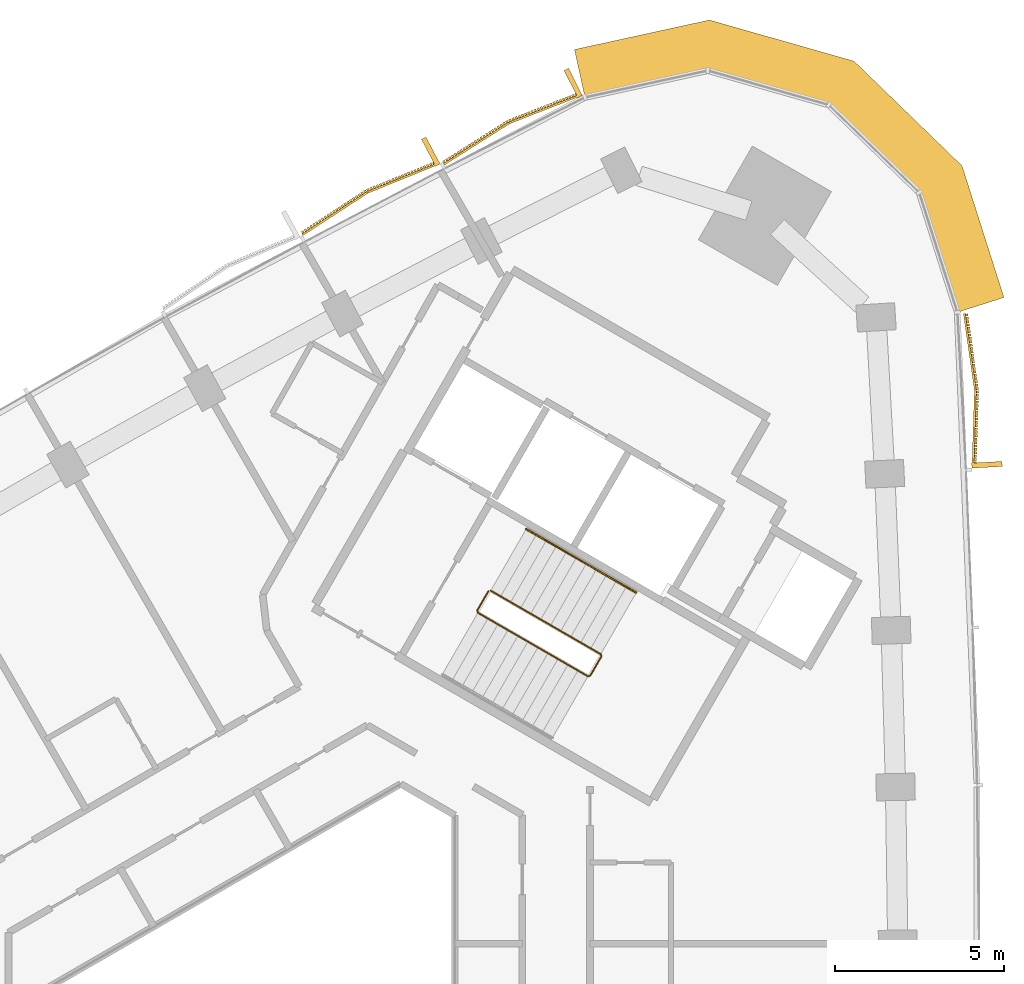
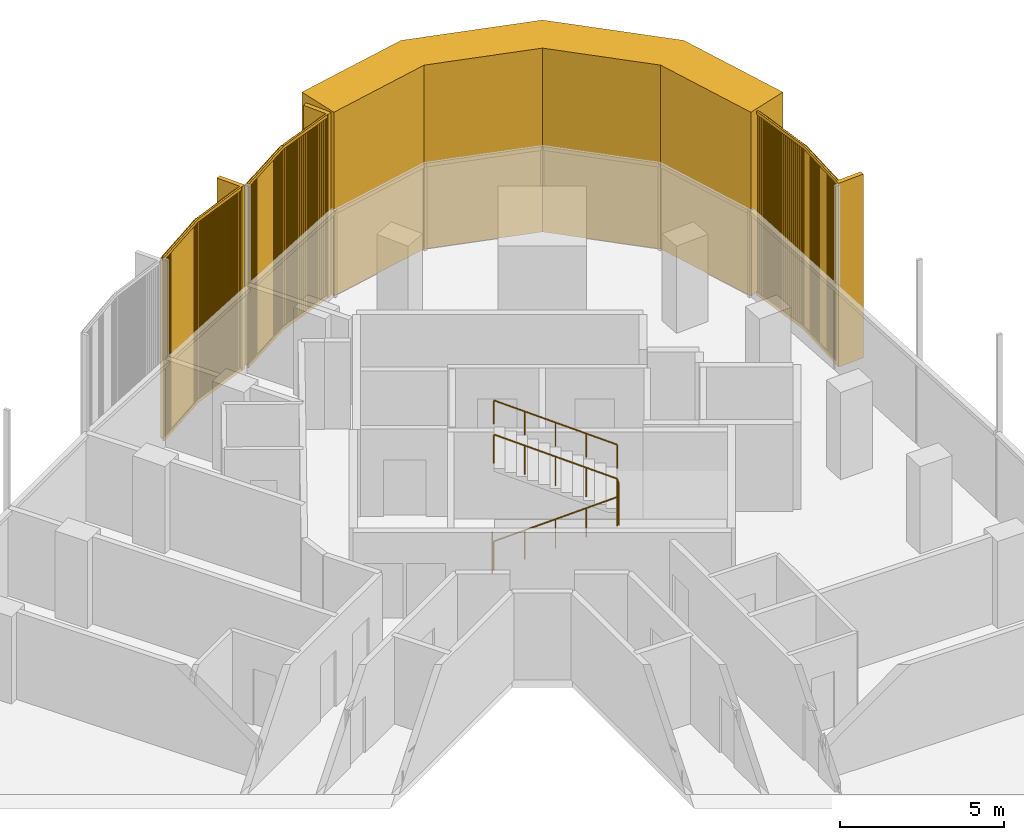
# One storey, part 14 of 14: 4 coverings, 2 railings.
"""IFC4 building model written with IfcOpenShell, lengths in metres."""

import ifcopenshell
import ifcopenshell.guid

model = None  # the IFC model being written
_history = None  # IfcOwnerHistory: only IFC2X3 demands one
_inside = {}  # id of a spatial element -> (the spatial element, [elements in it])
_under = {}  # id of a project, library or spatial element -> (it, [spatial elements below it])
_declared = {}  # id of a project -> (the project, [libraries it declares])
_typed = {}  # id of a type object -> (the type object, [elements of that type])
_made_of = {}  # id of a material, layer set ... -> (it, [elements and type objects made of it])


def new_model(schema):
    """Start an empty IFC model of exactly this schema.

    Asked for "IFC4X3", IfcOpenShell would pick the latest addendum, in which some entities
    have other attributes; the version numbers below select the first issue.
    IFC2X3 requires an IfcOwnerHistory on every rooted entity: one is made here for all.
    """
    global model, _history
    if schema == "IFC4X3":
        model = ifcopenshell.file(schema_version=(4, 3, 0, 0))
    else:
        model = ifcopenshell.file(schema=schema)
    _inside.clear()
    _under.clear()
    _declared.clear()
    _typed.clear()
    _made_of.clear()
    _history = None
    if model.schema == "IFC2X3":
        org = make("IfcOrganization", Name="unknown")
        user = make(
            "IfcPersonAndOrganization",
            ThePerson=make("IfcPerson", FamilyName="unknown"),
            TheOrganization=org,
        )
        app = make(
            "IfcApplication",
            ApplicationDeveloper=org,
            Version="unknown",
            ApplicationFullName="unknown",
            ApplicationIdentifier="unknown",
        )
        _history = make(
            "IfcOwnerHistory",
            OwningUser=user,
            OwningApplication=app,
            ChangeAction="ADDED",
            CreationDate=0,
        )
    return model


def make(cls, **values):
    """One entity of the class cls with the attributes given. An attribute that is None is left unset."""
    return model.create_entity(
        cls, **{name: value for name, value in values.items() if value is not None}
    )


def rooted(cls, **values):
    """An entity with a GlobalId (a new one), such as an element, a storey or a relation."""
    return make(cls, GlobalId=ifcopenshell.guid.new(), OwnerHistory=_history, **values)


def si_unit(unit_type, name, prefix=None):
    """IfcSIUnit, for example si_unit("LENGTHUNIT", "METRE", prefix="MILLI")."""
    return make("IfcSIUnit", UnitType=unit_type, Prefix=prefix, Name=name)


def assignment(units):
    """IfcUnitAssignment: the units of a project."""
    return None if units is None else make("IfcUnitAssignment", Units=units)


def point(xyz):
    """IfcCartesianPoint."""
    return None if xyz is None else make("IfcCartesianPoint", Coordinates=xyz)


def direction(xyz):
    """IfcDirection."""
    return None if xyz is None else make("IfcDirection", DirectionRatios=xyz)


def frame(location, z_axis=None, x_axis=None):
    """IfcAxis2Placement3D, a coordinate frame: its origin and axes. An axis left out is left unset."""
    return make(
        "IfcAxis2Placement3D",
        Location=point(location),
        Axis=direction(z_axis),
        RefDirection=direction(x_axis),
    )


def frame_2d(location, x_axis=None):
    """IfcAxis2Placement2D, a coordinate frame in the plane: its origin and x axis."""
    return make(
        "IfcAxis2Placement2D", Location=point(location), RefDirection=direction(x_axis)
    )


def origin():
    """The frame at (0, 0, 0) with its axes left unset."""
    return frame((0.0, 0.0, 0.0))


def origin_2d():
    """The frame at (0, 0) in the plane with its x axis left unset."""
    return frame_2d((0.0, 0.0))


def place(relative_to, where):
    """IfcLocalPlacement: puts the frame where relative to a parent placement (None: the world)."""
    return make(
        "IfcLocalPlacement", PlacementRelTo=relative_to, RelativePlacement=where
    )


def context(
    kind, dimensions, precision=None, world=None, true_north=None, identifier=None
):
    """IfcGeometricRepresentationContext, for example the 3D "Model" context."""
    return make(
        "IfcGeometricRepresentationContext",
        ContextIdentifier=identifier,
        ContextType=kind,
        CoordinateSpaceDimension=dimensions,
        Precision=precision,
        WorldCoordinateSystem=world,
        TrueNorth=true_north,
    )


def subcontext(parent, identifier, kind, view, scale=None):
    """IfcGeometricRepresentationSubContext, for example "Body" below "Model"."""
    return make(
        "IfcGeometricRepresentationSubContext",
        ContextIdentifier=identifier,
        ContextType=kind,
        ParentContext=parent,
        TargetScale=scale,
        TargetView=view,
    )


def project(units=None, contexts=None):
    """IfcProject with its units and contexts."""
    return rooted(
        "IfcProject",
        Name="project",
        RepresentationContexts=contexts,
        UnitsInContext=assignment(units),
    )


def spatial(cls, under=None, at=None, **own):
    """A site, building, storey or space (cls), placed at a placement, below another one or the project."""
    s = rooted(cls, ObjectPlacement=at, **own)
    if under is not None:
        _under.setdefault(under.id(), (under, []))[1].append(s)
    return s


def polyline(points):
    """IfcPolyline through the points."""
    return make("IfcPolyline", Points=[point(p) for p in points])


def profile(cls, at=None, kind="AREA", **sizes):
    """A parametric profile (cls). Its sizes go by their IFC names, for example OverallWidth=200.0."""
    return make(cls, ProfileType=kind, Position=at, **sizes)


def rectangle(**sizes):
    """IfcRectangleProfileDef."""
    return profile("IfcRectangleProfileDef", **sizes)


def circle(**sizes):
    """IfcCircleProfileDef."""
    return profile("IfcCircleProfileDef", **sizes)


def outline(outer, holes=None, kind="AREA"):
    """IfcArbitraryClosedProfileDef: a profile drawn as a closed curve; with holes, ...WithVoids."""
    if holes is None:
        return make("IfcArbitraryClosedProfileDef", ProfileType=kind, OuterCurve=outer)
    return make(
        "IfcArbitraryProfileDefWithVoids",
        ProfileType=kind,
        OuterCurve=outer,
        InnerCurves=holes,
    )


def extrude(swept, where, along, depth):
    """IfcExtrudedAreaSolid: the profile swept, set in the frame where, extruded along a direction by depth."""
    return make(
        "IfcExtrudedAreaSolid",
        SweptArea=swept,
        Position=where,
        ExtrudedDirection=direction(along),
        Depth=depth,
    )


def shape(context_of_items, identifier, shape_type, items):
    """IfcShapeRepresentation: the items that make up one representation, for example the "Body"."""
    return make(
        "IfcShapeRepresentation",
        ContextOfItems=context_of_items,
        RepresentationIdentifier=identifier,
        RepresentationType=shape_type,
        Items=items,
    )


def source(mapping_origin, context_of_items, identifier, shape_type, items):
    """IfcRepresentationMap: a shape defined once, which mapped items show again and again."""
    return make(
        "IfcRepresentationMap",
        MappingOrigin=mapping_origin,
        MappedRepresentation=shape(context_of_items, identifier, shape_type, items),
    )


def transform(
    local_origin,
    x_axis=None,
    y_axis=None,
    z_axis=None,
    scale=None,
    scale2=None,
    scale3=None,
    uniform=True,
):
    """IfcCartesianTransformationOperator3D, or its non-uniform kind. x_axis, y_axis, z_axis: its Axis1, 2, 3."""
    if uniform:
        return make(
            "IfcCartesianTransformationOperator3D",
            Axis1=direction(x_axis),
            Axis2=direction(y_axis),
            LocalOrigin=point(local_origin),
            Scale=scale,
            Axis3=direction(z_axis),
        )
    return make(
        "IfcCartesianTransformationOperator3DnonUniform",
        Axis1=direction(x_axis),
        Axis2=direction(y_axis),
        LocalOrigin=point(local_origin),
        Scale=scale,
        Axis3=direction(z_axis),
        Scale2=scale2,
        Scale3=scale3,
    )


def mapped(mapping_source, mapping_target):
    """IfcMappedItem: shows the shape of a source again, moved by a transform."""
    return make(
        "IfcMappedItem", MappingSource=mapping_source, MappingTarget=mapping_target
    )


def material(Name=None, Category=None):
    """IfcMaterial."""
    return make("IfcMaterial", Name=Name, Category=Category)


def layer(
    of_material, thickness, ventilated=None, Name=None, Category=None, Priority=None
):
    """IfcMaterialLayer: one layer of a wall or slab, of a material (None: an air gap)."""
    return make(
        "IfcMaterialLayer",
        Material=of_material,
        LayerThickness=thickness,
        IsVentilated=ventilated,
        Name=Name,
        Category=Category,
        Priority=Priority,
    )


def layer_set(layers, Name=None):
    """IfcMaterialLayerSet."""
    return make("IfcMaterialLayerSet", MaterialLayers=layers, LayerSetName=Name)


def made_of(thing, what):
    """Note that an element or type object is made of a material, layer set ...; save() writes the relation."""
    if what is not None:
        _made_of.setdefault(what.id(), (what, []))[1].append(thing)
    return thing


def type_object(cls, material=None, **own):
    """A type object (cls), such as IfcWallType, which elements share."""
    return made_of(rooted(cls, **own), material)


def element(
    cls,
    number,
    at=None,
    inside=None,
    cuts=None,
    type_object=None,
    material=None,
    context=None,
    identifier="Body",
    shape_type=None,
    held_by="IfcProductDefinitionShape",
    body=None,
    shapes=None,
    **own,
):
    """One element of the class cls, such as IfcWall. Its Tag is "e" and its number.

    at: its placement. inside: the storey or other place that contains it. cuts: it is an
    opening in that element (IfcRelVoidsElement). A single representation is given by context,
    identifier, shape_type and body (its items); several are given by shapes. held_by: the class
    of the entity that holds the representations. save() writes the other relations.
    """
    e = rooted(cls, Tag="e%d" % number, ObjectPlacement=at, **own)
    if body is not None:
        shapes = [shape(context, identifier, shape_type, body)]
    if shapes is not None:
        e.Representation = make(held_by, Representations=shapes)
    if inside is not None:
        _inside.setdefault(inside.id(), (inside, []))[1].append(e)
    if cuts is not None:
        rooted(
            "IfcRelVoidsElement", RelatingBuildingElement=cuts, RelatedOpeningElement=e
        )
    if type_object is not None:
        _typed.setdefault(type_object.id(), (type_object, []))[1].append(e)
    return made_of(e, material)


def aggregate(whole, parts):
    """IfcRelAggregates: a whole, such as a stair, and the parts it consists of."""
    return rooted("IfcRelAggregates", RelatingObject=whole, RelatedObjects=parts)


def save(model, path):
    """Write the relations noted so far, then the file.

    IfcRelAggregates (storeys below a building ...), IfcRelContainedInSpatialStructure (elements
    in a storey), IfcRelDefinesByType, IfcRelAssociatesMaterial and IfcRelDeclares: one each for
    every whole, place, type object, material and project.
    """
    for whole, parts in _under.values():
        aggregate(whole, parts)
    for where, things in _inside.values():
        rooted(
            "IfcRelContainedInSpatialStructure",
            RelatedElements=things,
            RelatingStructure=where,
        )
    for kind, things in _typed.values():
        rooted("IfcRelDefinesByType", RelatedObjects=things, RelatingType=kind)
    for what, things in _made_of.values():
        rooted("IfcRelAssociatesMaterial", RelatedObjects=things, RelatingMaterial=what)
    for by, libraries in _declared.values():
        rooted("IfcRelDeclares", RelatingContext=by, RelatedDefinitions=libraries)
    model.write(path)


model = new_model("IFC4")

# Units and contexts
model_context = context("Model", 3, precision=1e-05, world=origin(), true_north=direction((0.0, 1.0)))
body_context = subcontext(model_context, "Body", "Model", "MODEL_VIEW")
ifc_project = project(units=[si_unit("LENGTHUNIT", "METRE"), si_unit("AREAUNIT", "SQUARE_METRE"), si_unit("VOLUMEUNIT", "CUBIC_METRE"), si_unit("PLANEANGLEUNIT", "RADIAN"), si_unit("MASSUNIT", "GRAM", prefix="KILO")], contexts=[model_context])

# Site, building, storey
site_placement = place(None, origin())
site = spatial("IfcSite", under=ifc_project, at=site_placement, CompositionType="ELEMENT")
building_placement = place(site_placement, origin())
building = spatial("IfcBuilding", under=site, at=building_placement, Name="Tamra Quay Hotel Tower", CompositionType="ELEMENT")
storey_placement = place(building_placement, frame((0.0, 0.0, 197.199951171875)))
storey = spatial("IfcBuildingStorey", under=building, at=storey_placement, Name="L49", CompositionType="ELEMENT", Elevation=197.199951171875)

# Covering
ifc_material_1 = material(Name="Precast concrete M60 terracotta-coloured", Category="masonry")
ifc_layer = layer(ifc_material_1, 1.449951171875)
ifc_layer_set = layer_set([ifc_layer], Name="CORNER PIER PANEL")
covering_type_1 = type_object("IfcCoveringType", Name="CORNER PIER PANEL", PredefinedType="CLADDING", material=ifc_layer_set)
covering_1_placement = place(storey_placement, origin())
element("IfcCovering", 1, at=covering_1_placement, inside=storey, type_object=covering_type_1, Name="Corner pier L49.east", PredefinedType="CLADDING", context=body_context, shape_type="SweptSolid", body=[
    extrude(outline(polyline([(19.4755859375, 21.00537109375), (20.857421875, 21.4453125), (19.616943359375, 25.3408203125), (16.419921875, 28.440185546875), (12.13720703125, 29.6591796875), (8.1435546875, 28.78564453125), (8.453369140625, 27.369140625), (12.091064453125, 28.164794921875), (15.67236328125, 27.1455078125), (18.345703125, 24.553466796875), (19.4755859375, 21.00537109375)])), origin(), (0.0, 0.0, 1.0), 6.85009765625),
])

# Railings
ifc_material_2 = material(Name="Stair guard 1100")
railing_type_1 = type_object("IfcRailingType", Name="Stair guard 1100", PredefinedType="GUARDRAIL", material=ifc_material_2)
railing_1_placement = place(storey_placement, frame((5.595458984375, 12.751953125, 0.0)))
element("IfcRailing", 2, at=railing_1_placement, inside=storey, type_object=railing_type_1, Name="GR", PredefinedType="GUARDRAIL", context=body_context, shape_type="SweptSolid", body=[
    extrude(circle(Radius=0.02392578125, at=origin_2d()), frame((0.0, 0.0, 1.076171875), z_axis=(-0.499765215335, -0.866160914346, 0.0), x_axis=(0.866160914346, -0.499765215335, 0.0)), (0.0, 0.0, 1.0), 0.658935546875),
    extrude(circle(Radius=0.02392578125, at=origin_2d()), frame((-0.329345703125, -0.57080078125, 1.076171875), z_axis=(0.110378772244, -0.410609032747, 0.905105932399), x_axis=(0.965715946433, 0.259601060869, 0.0)), (0.0, 0.0, 1.0), 0.165771484375),
    extrude(circle(Radius=0.02392578125, at=origin_2d()), frame((-0.31103515625, -0.638916015625, 1.22607421875), z_axis=(0.793078462799, -0.457933869594, 0.401650498471), x_axis=(0.500040788363, 0.866001853331, 0.0)), (0.0, 0.0, 1.0), 4.10791015625),
    extrude(circle(Radius=0.02392578125, at=origin_2d()), frame((2.94677734375, -2.52001953125, 2.8759765625), z_axis=(0.965948051503, 0.258736085224, 0.0), x_axis=(-0.258736085224, 0.965948051503, 0.0)), (0.0, 0.0, 1.0), 0.07080078125),
    extrude(circle(Radius=0.02392578125, at=origin_2d()), frame((3.01513671875, -2.501708984375, 2.8759765625), z_axis=(0.500043078269, 0.866000531106, 0.0), x_axis=(-0.866000531106, 0.500043078269, 0.0)), (0.0, 0.0, 1.0), 0.6591796875),
    extrude(circle(Radius=0.02392578125, at=origin_2d()), frame((3.3447265625, -1.930908203125, 2.8759765625), z_axis=(-0.110525977783, 0.411156637351, 0.904839338113), x_axis=(-0.965715946433, -0.259601060869, 0.0)), (0.0, 0.0, 1.0), 0.165771484375),
    extrude(circle(Radius=0.02392578125, at=origin_2d()), frame((3.326416015625, -1.86279296875, 3.02587890625), z_axis=(-0.793081581205, 0.457901355053, 0.401681409319), x_axis=(-0.500012686397, -0.866018079166, 0.0)), (0.0, 0.0, 1.0), 4.108154296875),
    extrude(circle(Radius=0.02099609375, at=origin_2d()), origin(), (0.0, 0.0, 1.0), 1.052001953125),
    extrude(circle(Radius=0.02099609375, at=origin_2d()), frame((-0.329345703125, -0.57080078125, 0.0)), (0.0, 0.0, 1.0), 1.052001953125),
    extrude(circle(Radius=0.02099609375, at=origin_2d()), frame((-0.31103515625, -0.638916015625, 0.150146484375)), (0.0, 0.0, 1.0), 1.052001953125),
    extrude(circle(Radius=0.02099609375, at=origin_2d()), frame((0.50341796875, -1.109130859375, 0.5625)), (0.0, 0.0, 1.0), 1.052001953125),
    extrude(circle(Radius=0.02099609375, at=origin_2d()), frame((1.31787109375, -1.57958984375, 0.97509765625)), (0.0, 0.0, 1.0), 1.052001953125),
    extrude(circle(Radius=0.02099609375, at=origin_2d()), frame((2.13232421875, -2.0498046875, 1.3876953125)), (0.0, 0.0, 1.0), 1.052001953125),
    extrude(circle(Radius=0.02099609375, at=origin_2d()), frame((2.94677734375, -2.52001953125, 1.800048828125)), (0.0, 0.0, 1.0), 1.052001953125),
    extrude(circle(Radius=0.02099609375, at=origin_2d()), frame((3.01513671875, -2.501708984375, 1.800048828125)), (0.0, 0.0, 1.0), 1.052001953125),
    extrude(circle(Radius=0.02099609375, at=origin_2d()), frame((3.3447265625, -1.930908203125, 1.800048828125)), (0.0, 0.0, 1.0), 1.052001953125),
    extrude(circle(Radius=0.02099609375, at=origin_2d()), frame((3.326416015625, -1.86279296875, 1.949951171875)), (0.0, 0.0, 1.0), 1.052001953125),
    extrude(circle(Radius=0.02099609375, at=origin_2d()), frame((2.511962890625, -1.392578125, 2.362548828125)), (0.0, 0.0, 1.0), 1.052001953125),
    extrude(circle(Radius=0.02099609375, at=origin_2d()), frame((1.697265625, -0.92236328125, 2.77490234375)), (0.0, 0.0, 1.0), 1.052001953125),
    extrude(circle(Radius=0.02099609375, at=origin_2d()), frame((0.8828125, -0.451904296875, 3.1875)), (0.0, 0.0, 1.0), 1.052001953125),
    extrude(circle(Radius=0.02099609375, at=origin_2d()), frame((0.068359375, 0.018310546875, 3.60009765625)), (0.0, 0.0, 1.0), 1.052001953125),
])
ifc_material_3 = material(Name="Stair handrail 900")
railing_type_2 = type_object("IfcRailingType", Name="Stair handrail 900", PredefinedType="HANDRAIL", material=ifc_material_3)
railing_2_placement = place(storey_placement, frame((9.971923828125, 12.7080078125, 1.949951171875)))
element("IfcRailing", 3, at=railing_2_placement, inside=storey, type_object=railing_type_2, Name="HR", PredefinedType="HANDRAIL", context=body_context, shape_type="SweptSolid", body=[
    extrude(circle(Radius=0.02392578125, at=origin_2d()), frame((0.0, 0.0, 0.8759765625), z_axis=(-0.793103162556, 0.457854384738, 0.401692339881), x_axis=(-0.499964013922, -0.86604617936, 0.0)), (0.0, 0.0, 1.0), 4.10791015625),
    extrude(circle(Radius=0.02099609375, at=origin_2d()), origin(), (0.0, 0.0, 1.0), 0.851806640625),
    extrude(circle(Radius=0.02099609375, at=origin_2d()), frame((-0.814453125, 0.47021484375, 0.41259765625)), (0.0, 0.0, 1.0), 0.851806640625),
    extrude(circle(Radius=0.02099609375, at=origin_2d()), frame((-1.62890625, 0.9404296875, 0.8251953125)), (0.0, 0.0, 1.0), 0.851806640625),
    extrude(circle(Radius=0.02099609375, at=origin_2d()), frame((-2.443603515625, 1.41064453125, 1.237548828125)), (0.0, 0.0, 1.0), 0.851806640625),
    extrude(circle(Radius=0.02099609375, at=origin_2d()), frame((-3.258056640625, 1.880859375, 1.650146484375)), (0.0, 0.0, 1.0), 0.851806640625),
])

# Coverings
ifc_material_4 = material(Name="Terracotta baguette extruded", Category="masonry")
covering_type_2 = type_object("IfcCoveringType", Name="BAGUETTE SCREEN E-V H6850", PredefinedType="USERDEFINED", material=ifc_material_4)
shared_shape_1 = source(origin(), body_context, "Body", "SweptSolid", [
    extrude(rectangle(XDim=2.30126953125, YDim=0.06005859375, at=frame_2d((1.150634765625, 0.030029296875))), frame((-2.2978515625, -0.057861328125, -0.1201171875), z_axis=(0.0, 0.0, 1.0), x_axis=(0.996194698092, -0.087155742748, 0.0)), (0.0, 0.0, 1.0), 0.1201171875),
    extrude(rectangle(XDim=2.30126953125, YDim=0.06005859375, at=frame_2d((1.150634765625, 0.030029296875))), frame((-2.2978515625, -0.057861328125, -6.85009765625), z_axis=(0.0, 0.0, 1.0), x_axis=(0.996194698092, -0.087155742748, 0.0)), (0.0, 0.0, 1.0), 0.1201171875),
    extrude(rectangle(XDim=0.070068359375, YDim=0.10009765625, at=frame_2d((0.03515625, 0.050048828125))), frame((-2.277587890625, -0.13232421875, -6.7900390625)), (0.0, 0.0, 1.0), 6.72998046875),
    extrude(rectangle(XDim=0.070068359375, YDim=0.10009765625, at=frame_2d((0.03515625, 0.050048828125))), frame((-2.177978515625, -0.14111328125, -6.7900390625)), (0.0, 0.0, 1.0), 6.72998046875),
    extrude(rectangle(XDim=0.070068359375, YDim=0.10009765625, at=frame_2d((0.03515625, 0.050048828125))), frame((-2.078369140625, -0.14990234375, -6.7900390625)), (0.0, 0.0, 1.0), 6.72998046875),
    extrude(rectangle(XDim=0.070068359375, YDim=0.10009765625, at=frame_2d((0.03515625, 0.050048828125))), frame((-1.978759765625, -0.158447265625, -6.7900390625)), (0.0, 0.0, 1.0), 6.72998046875),
    extrude(rectangle(XDim=0.070068359375, YDim=0.10009765625, at=frame_2d((0.03515625, 0.050048828125))), frame((-1.87890625, -0.167236328125, -6.7900390625)), (0.0, 0.0, 1.0), 6.72998046875),
    extrude(rectangle(XDim=0.070068359375, YDim=0.10009765625, at=frame_2d((0.03515625, 0.050048828125))), frame((-1.779296875, -0.176025390625, -6.7900390625)), (0.0, 0.0, 1.0), 6.72998046875),
    extrude(rectangle(XDim=0.070068359375, YDim=0.10009765625, at=frame_2d((0.03515625, 0.050048828125))), frame((-1.6796875, -0.1845703125, -6.7900390625)), (0.0, 0.0, 1.0), 6.72998046875),
    extrude(rectangle(XDim=0.070068359375, YDim=0.10009765625, at=frame_2d((0.03515625, 0.050048828125))), frame((-1.579833984375, -0.193359375, -6.7900390625)), (0.0, 0.0, 1.0), 6.72998046875),
    extrude(rectangle(XDim=0.070068359375, YDim=0.10009765625, at=frame_2d((0.03515625, 0.050048828125))), frame((-1.480224609375, -0.2021484375, -6.7900390625)), (0.0, 0.0, 1.0), 6.72998046875),
    extrude(rectangle(XDim=0.070068359375, YDim=0.10009765625, at=frame_2d((0.03515625, 0.050048828125))), frame((-1.380615234375, -0.2109375, -6.7900390625)), (0.0, 0.0, 1.0), 6.72998046875),
    extrude(rectangle(XDim=0.070068359375, YDim=0.10009765625, at=frame_2d((0.03515625, 0.050048828125))), frame((-1.281005859375, -0.219482421875, -6.7900390625)), (0.0, 0.0, 1.0), 6.72998046875),
    extrude(rectangle(XDim=0.070068359375, YDim=0.10009765625, at=frame_2d((0.03515625, 0.050048828125))), frame((-1.18115234375, -0.228271484375, -6.7900390625)), (0.0, 0.0, 1.0), 6.72998046875),
    extrude(rectangle(XDim=0.070068359375, YDim=0.10009765625, at=frame_2d((0.03515625, 0.050048828125))), frame((-1.08154296875, -0.237060546875, -6.7900390625)), (0.0, 0.0, 1.0), 6.72998046875),
    extrude(rectangle(XDim=0.070068359375, YDim=0.10009765625, at=frame_2d((0.03515625, 0.050048828125))), frame((-0.98193359375, -0.24560546875, -6.7900390625)), (0.0, 0.0, 1.0), 6.72998046875),
    extrude(rectangle(XDim=0.070068359375, YDim=0.10009765625, at=frame_2d((0.03515625, 0.050048828125))), frame((-0.88232421875, -0.25439453125, -6.7900390625)), (0.0, 0.0, 1.0), 6.72998046875),
    extrude(rectangle(XDim=0.070068359375, YDim=0.10009765625, at=frame_2d((0.03515625, 0.050048828125))), frame((-0.782470703125, -0.26318359375, -6.7900390625)), (0.0, 0.0, 1.0), 6.72998046875),
    extrude(rectangle(XDim=0.070068359375, YDim=0.10009765625, at=frame_2d((0.03515625, 0.050048828125))), frame((-0.682861328125, -0.27197265625, -6.7900390625)), (0.0, 0.0, 1.0), 6.72998046875),
    extrude(rectangle(XDim=0.070068359375, YDim=0.10009765625, at=frame_2d((0.03515625, 0.050048828125))), frame((-0.583251953125, -0.280517578125, -6.7900390625)), (0.0, 0.0, 1.0), 6.72998046875),
    extrude(rectangle(XDim=0.070068359375, YDim=0.10009765625, at=frame_2d((0.03515625, 0.050048828125))), frame((-0.483642578125, -0.289306640625, -6.7900390625)), (0.0, 0.0, 1.0), 6.72998046875),
    extrude(rectangle(XDim=0.070068359375, YDim=0.10009765625, at=frame_2d((0.03515625, 0.050048828125))), frame((-0.3837890625, -0.298095703125, -6.7900390625)), (0.0, 0.0, 1.0), 6.72998046875),
    extrude(rectangle(XDim=0.070068359375, YDim=0.10009765625, at=frame_2d((0.03515625, 0.050048828125))), frame((-0.2841796875, -0.306884765625, -6.7900390625)), (0.0, 0.0, 1.0), 6.72998046875),
    extrude(rectangle(XDim=0.070068359375, YDim=0.10009765625, at=frame_2d((0.03515625, 0.050048828125))), frame((-0.1845703125, -0.3154296875, -6.7900390625)), (0.0, 0.0, 1.0), 6.72998046875),
    extrude(rectangle(XDim=0.070068359375, YDim=0.10009765625, at=frame_2d((0.03515625, 0.050048828125))), frame((-0.0849609375, -0.32421875, -6.7900390625)), (0.0, 0.0, 1.0), 6.72998046875),
    extrude(rectangle(XDim=2.30126953125, YDim=0.06005859375, at=frame_2d((1.150634765625, 0.030029296875))), frame((0.005126953125, -0.25830078125, -0.1201171875), z_axis=(0.0, 0.0, 1.0), x_axis=(0.996194698092, 0.087155742748, 0.0)), (0.0, 0.0, 1.0), 0.1201171875),
    extrude(rectangle(XDim=2.30126953125, YDim=0.06005859375, at=frame_2d((1.150634765625, 0.030029296875))), frame((0.005126953125, -0.25830078125, -6.85009765625), z_axis=(0.0, 0.0, 1.0), x_axis=(0.996194698092, 0.087155742748, 0.0)), (0.0, 0.0, 1.0), 0.1201171875),
    extrude(rectangle(XDim=0.070068359375, YDim=0.10009765625, at=frame_2d((0.03515625, 0.050048828125))), frame((0.014892578125, -0.32421875, -6.7900390625)), (0.0, 0.0, 1.0), 6.72998046875),
    extrude(rectangle(XDim=0.070068359375, YDim=0.10009765625, at=frame_2d((0.03515625, 0.050048828125))), frame((0.114501953125, -0.3154296875, -6.7900390625)), (0.0, 0.0, 1.0), 6.72998046875),
    extrude(rectangle(XDim=0.070068359375, YDim=0.10009765625, at=frame_2d((0.03515625, 0.050048828125))), frame((0.214111328125, -0.306884765625, -6.7900390625)), (0.0, 0.0, 1.0), 6.72998046875),
    extrude(rectangle(XDim=0.070068359375, YDim=0.10009765625, at=frame_2d((0.03515625, 0.050048828125))), frame((0.31396484375, -0.298095703125, -6.7900390625)), (0.0, 0.0, 1.0), 6.72998046875),
    extrude(rectangle(XDim=0.070068359375, YDim=0.10009765625, at=frame_2d((0.03515625, 0.050048828125))), frame((0.41357421875, -0.289306640625, -6.7900390625)), (0.0, 0.0, 1.0), 6.72998046875),
    extrude(rectangle(XDim=0.070068359375, YDim=0.10009765625, at=frame_2d((0.03515625, 0.050048828125))), frame((0.51318359375, -0.280517578125, -6.7900390625)), (0.0, 0.0, 1.0), 6.72998046875),
    extrude(rectangle(XDim=0.070068359375, YDim=0.10009765625, at=frame_2d((0.03515625, 0.050048828125))), frame((0.61279296875, -0.27197265625, -6.7900390625)), (0.0, 0.0, 1.0), 6.72998046875),
    extrude(rectangle(XDim=0.070068359375, YDim=0.10009765625, at=frame_2d((0.03515625, 0.050048828125))), frame((0.712646484375, -0.26318359375, -6.7900390625)), (0.0, 0.0, 1.0), 6.72998046875),
    extrude(rectangle(XDim=0.070068359375, YDim=0.10009765625, at=frame_2d((0.03515625, 0.050048828125))), frame((0.812255859375, -0.25439453125, -6.7900390625)), (0.0, 0.0, 1.0), 6.72998046875),
    extrude(rectangle(XDim=0.070068359375, YDim=0.10009765625, at=frame_2d((0.03515625, 0.050048828125))), frame((0.911865234375, -0.24560546875, -6.7900390625)), (0.0, 0.0, 1.0), 6.72998046875),
    extrude(rectangle(XDim=0.070068359375, YDim=0.10009765625, at=frame_2d((0.03515625, 0.050048828125))), frame((1.011474609375, -0.237060546875, -6.7900390625)), (0.0, 0.0, 1.0), 6.72998046875),
    extrude(rectangle(XDim=0.070068359375, YDim=0.10009765625, at=frame_2d((0.03515625, 0.050048828125))), frame((1.111328125, -0.228271484375, -6.7900390625)), (0.0, 0.0, 1.0), 6.72998046875),
    extrude(rectangle(XDim=0.070068359375, YDim=0.10009765625, at=frame_2d((0.03515625, 0.050048828125))), frame((1.2109375, -0.219482421875, -6.7900390625)), (0.0, 0.0, 1.0), 6.72998046875),
    extrude(rectangle(XDim=0.070068359375, YDim=0.10009765625, at=frame_2d((0.03515625, 0.050048828125))), frame((1.310546875, -0.2109375, -6.7900390625)), (0.0, 0.0, 1.0), 6.72998046875),
    extrude(rectangle(XDim=0.070068359375, YDim=0.10009765625, at=frame_2d((0.03515625, 0.050048828125))), frame((1.41015625, -0.2021484375, -6.7900390625)), (0.0, 0.0, 1.0), 6.72998046875),
    extrude(rectangle(XDim=0.070068359375, YDim=0.10009765625, at=frame_2d((0.03515625, 0.050048828125))), frame((1.510009765625, -0.193359375, -6.7900390625)), (0.0, 0.0, 1.0), 6.72998046875),
    extrude(rectangle(XDim=0.070068359375, YDim=0.10009765625, at=frame_2d((0.03515625, 0.050048828125))), frame((1.609619140625, -0.1845703125, -6.7900390625)), (0.0, 0.0, 1.0), 6.72998046875),
    extrude(rectangle(XDim=0.070068359375, YDim=0.10009765625, at=frame_2d((0.03515625, 0.050048828125))), frame((1.709228515625, -0.176025390625, -6.7900390625)), (0.0, 0.0, 1.0), 6.72998046875),
    extrude(rectangle(XDim=0.070068359375, YDim=0.10009765625, at=frame_2d((0.03515625, 0.050048828125))), frame((1.80908203125, -0.167236328125, -6.7900390625)), (0.0, 0.0, 1.0), 6.72998046875),
    extrude(rectangle(XDim=0.070068359375, YDim=0.10009765625, at=frame_2d((0.03515625, 0.050048828125))), frame((1.90869140625, -0.158447265625, -6.7900390625)), (0.0, 0.0, 1.0), 6.72998046875),
    extrude(rectangle(XDim=0.070068359375, YDim=0.10009765625, at=frame_2d((0.03515625, 0.050048828125))), frame((2.00830078125, -0.14990234375, -6.7900390625)), (0.0, 0.0, 1.0), 6.72998046875),
    extrude(rectangle(XDim=0.070068359375, YDim=0.10009765625, at=frame_2d((0.03515625, 0.050048828125))), frame((2.10791015625, -0.14111328125, -6.7900390625)), (0.0, 0.0, 1.0), 6.72998046875),
    extrude(rectangle(XDim=0.070068359375, YDim=0.10009765625, at=frame_2d((0.03515625, 0.050048828125))), frame((2.207763671875, -0.13232421875, -6.7900390625)), (0.0, 0.0, 1.0), 6.72998046875),
    extrude(rectangle(XDim=0.14990234375, YDim=0.902099609375, at=frame_2d((0.074951171875, 0.451171875))), frame((-2.29248046875, -0.89990234375, -6.85009765625)), (0.0, 0.0, 1.0), 6.85009765625),
])
covering_2_placement = place(storey_placement, frame((19.78271484375, 18.68359375, 6.85009765625), z_axis=(0.0, 0.0, 1.0), x_axis=(-0.055416308058, 0.998463335732, 0.0)))
element("IfcCovering", 4, at=covering_2_placement, inside=storey, type_object=covering_type_2, Name="Baguette screen L49.E.f08", ObjectType="BAGUETTE SCREEN", PredefinedType="USERDEFINED", context=body_context, shape_type="MappedRepresentation", body=[
    mapped(shared_shape_1, transform((0.0, 0.0, 0.0), scale=1.0)),
])
covering_type_3 = type_object("IfcCoveringType", Name="BAGUETTE SCREEN NW-V H6850", PredefinedType="USERDEFINED", material=ifc_material_4)
shared_shape_2 = source(origin(), body_context, "Body", "SweptSolid", [
    extrude(rectangle(XDim=2.302978515625, YDim=0.06005859375, at=frame_2d((1.1513671875, 0.030029296875))), frame((-2.29833984375, -0.0576171875, -0.1201171875), z_axis=(0.0, 0.0, 1.0), x_axis=(0.995396198367, -0.09584575252, 0.0)), (0.0, 0.0, 1.0), 0.1201171875),
    extrude(rectangle(XDim=2.302978515625, YDim=0.06005859375, at=frame_2d((1.1513671875, 0.030029296875))), frame((-2.29833984375, -0.0576171875, -6.85009765625), z_axis=(0.0, 0.0, 1.0), x_axis=(0.995396198367, -0.09584575252, 0.0)), (0.0, 0.0, 1.0), 0.1201171875),
    extrude(rectangle(XDim=0.070068359375, YDim=0.10009765625, at=frame_2d((0.03515625, 0.050048828125))), frame((-2.277587890625, -0.1328125, -6.7900390625)), (0.0, 0.0, 1.0), 6.72998046875),
    extrude(rectangle(XDim=0.070068359375, YDim=0.10009765625, at=frame_2d((0.03515625, 0.050048828125))), frame((-2.177978515625, -0.142333984375, -6.7900390625)), (0.0, 0.0, 1.0), 6.72998046875),
    extrude(rectangle(XDim=0.070068359375, YDim=0.10009765625, at=frame_2d((0.03515625, 0.050048828125))), frame((-2.078369140625, -0.152099609375, -6.7900390625)), (0.0, 0.0, 1.0), 6.72998046875),
    extrude(rectangle(XDim=0.070068359375, YDim=0.10009765625, at=frame_2d((0.03515625, 0.050048828125))), frame((-1.978759765625, -0.16162109375, -6.7900390625)), (0.0, 0.0, 1.0), 6.72998046875),
    extrude(rectangle(XDim=0.070068359375, YDim=0.10009765625, at=frame_2d((0.03515625, 0.050048828125))), frame((-1.87890625, -0.171142578125, -6.7900390625)), (0.0, 0.0, 1.0), 6.72998046875),
    extrude(rectangle(XDim=0.070068359375, YDim=0.10009765625, at=frame_2d((0.03515625, 0.050048828125))), frame((-1.779296875, -0.180908203125, -6.7900390625)), (0.0, 0.0, 1.0), 6.72998046875),
    extrude(rectangle(XDim=0.070068359375, YDim=0.10009765625, at=frame_2d((0.03515625, 0.050048828125))), frame((-1.6796875, -0.1904296875, -6.7900390625)), (0.0, 0.0, 1.0), 6.72998046875),
    extrude(rectangle(XDim=0.070068359375, YDim=0.10009765625, at=frame_2d((0.03515625, 0.050048828125))), frame((-1.579833984375, -0.199951171875, -6.7900390625)), (0.0, 0.0, 1.0), 6.72998046875),
    extrude(rectangle(XDim=0.070068359375, YDim=0.10009765625, at=frame_2d((0.03515625, 0.050048828125))), frame((-1.480224609375, -0.20947265625, -6.7900390625)), (0.0, 0.0, 1.0), 6.72998046875),
    extrude(rectangle(XDim=0.070068359375, YDim=0.10009765625, at=frame_2d((0.03515625, 0.050048828125))), frame((-1.380615234375, -0.21923828125, -6.7900390625)), (0.0, 0.0, 1.0), 6.72998046875),
    extrude(rectangle(XDim=0.070068359375, YDim=0.10009765625, at=frame_2d((0.03515625, 0.050048828125))), frame((-1.281005859375, -0.228759765625, -6.7900390625)), (0.0, 0.0, 1.0), 6.72998046875),
    extrude(rectangle(XDim=0.070068359375, YDim=0.10009765625, at=frame_2d((0.03515625, 0.050048828125))), frame((-1.18115234375, -0.23828125, -6.7900390625)), (0.0, 0.0, 1.0), 6.72998046875),
    extrude(rectangle(XDim=0.070068359375, YDim=0.10009765625, at=frame_2d((0.03515625, 0.050048828125))), frame((-1.08154296875, -0.248046875, -6.7900390625)), (0.0, 0.0, 1.0), 6.72998046875),
    extrude(rectangle(XDim=0.070068359375, YDim=0.10009765625, at=frame_2d((0.03515625, 0.050048828125))), frame((-0.98193359375, -0.257568359375, -6.7900390625)), (0.0, 0.0, 1.0), 6.72998046875),
    extrude(rectangle(XDim=0.070068359375, YDim=0.10009765625, at=frame_2d((0.03515625, 0.050048828125))), frame((-0.88232421875, -0.26708984375, -6.7900390625)), (0.0, 0.0, 1.0), 6.72998046875),
    extrude(rectangle(XDim=0.070068359375, YDim=0.10009765625, at=frame_2d((0.03515625, 0.050048828125))), frame((-0.782470703125, -0.27685546875, -6.7900390625)), (0.0, 0.0, 1.0), 6.72998046875),
    extrude(rectangle(XDim=0.070068359375, YDim=0.10009765625, at=frame_2d((0.03515625, 0.050048828125))), frame((-0.682861328125, -0.286376953125, -6.7900390625)), (0.0, 0.0, 1.0), 6.72998046875),
    extrude(rectangle(XDim=0.070068359375, YDim=0.10009765625, at=frame_2d((0.03515625, 0.050048828125))), frame((-0.583251953125, -0.2958984375, -6.7900390625)), (0.0, 0.0, 1.0), 6.72998046875),
    extrude(rectangle(XDim=0.070068359375, YDim=0.10009765625, at=frame_2d((0.03515625, 0.050048828125))), frame((-0.483642578125, -0.3056640625, -6.7900390625)), (0.0, 0.0, 1.0), 6.72998046875),
    extrude(rectangle(XDim=0.070068359375, YDim=0.10009765625, at=frame_2d((0.03515625, 0.050048828125))), frame((-0.3837890625, -0.315185546875, -6.7900390625)), (0.0, 0.0, 1.0), 6.72998046875),
    extrude(rectangle(XDim=0.070068359375, YDim=0.10009765625, at=frame_2d((0.03515625, 0.050048828125))), frame((-0.2841796875, -0.32470703125, -6.7900390625)), (0.0, 0.0, 1.0), 6.72998046875),
    extrude(rectangle(XDim=0.070068359375, YDim=0.10009765625, at=frame_2d((0.03515625, 0.050048828125))), frame((-0.1845703125, -0.334228515625, -6.7900390625)), (0.0, 0.0, 1.0), 6.72998046875),
    extrude(rectangle(XDim=0.070068359375, YDim=0.10009765625, at=frame_2d((0.03515625, 0.050048828125))), frame((-0.0849609375, -0.343994140625, -6.7900390625)), (0.0, 0.0, 1.0), 6.72998046875),
    extrude(rectangle(XDim=2.302978515625, YDim=0.06005859375, at=frame_2d((1.1513671875, 0.030029296875))), frame((0.005859375, -0.278564453125, -0.1201171875), z_axis=(0.0, 0.0, 1.0), x_axis=(0.995396198367, 0.09584575252, 0.0)), (0.0, 0.0, 1.0), 0.1201171875),
    extrude(rectangle(XDim=2.302978515625, YDim=0.06005859375, at=frame_2d((1.1513671875, 0.030029296875))), frame((0.005859375, -0.278564453125, -6.85009765625), z_axis=(0.0, 0.0, 1.0), x_axis=(0.995396198367, 0.09584575252, 0.0)), (0.0, 0.0, 1.0), 0.1201171875),
    extrude(rectangle(XDim=0.070068359375, YDim=0.10009765625, at=frame_2d((0.03515625, 0.050048828125))), frame((0.014892578125, -0.343994140625, -6.7900390625)), (0.0, 0.0, 1.0), 6.72998046875),
    extrude(rectangle(XDim=0.070068359375, YDim=0.10009765625, at=frame_2d((0.03515625, 0.050048828125))), frame((0.114501953125, -0.334228515625, -6.7900390625)), (0.0, 0.0, 1.0), 6.72998046875),
    extrude(rectangle(XDim=0.070068359375, YDim=0.10009765625, at=frame_2d((0.03515625, 0.050048828125))), frame((0.214111328125, -0.32470703125, -6.7900390625)), (0.0, 0.0, 1.0), 6.72998046875),
    extrude(rectangle(XDim=0.070068359375, YDim=0.10009765625, at=frame_2d((0.03515625, 0.050048828125))), frame((0.31396484375, -0.315185546875, -6.7900390625)), (0.0, 0.0, 1.0), 6.72998046875),
    extrude(rectangle(XDim=0.070068359375, YDim=0.10009765625, at=frame_2d((0.03515625, 0.050048828125))), frame((0.41357421875, -0.3056640625, -6.7900390625)), (0.0, 0.0, 1.0), 6.72998046875),
    extrude(rectangle(XDim=0.070068359375, YDim=0.10009765625, at=frame_2d((0.03515625, 0.050048828125))), frame((0.51318359375, -0.2958984375, -6.7900390625)), (0.0, 0.0, 1.0), 6.72998046875),
    extrude(rectangle(XDim=0.070068359375, YDim=0.10009765625, at=frame_2d((0.03515625, 0.050048828125))), frame((0.61279296875, -0.286376953125, -6.7900390625)), (0.0, 0.0, 1.0), 6.72998046875),
    extrude(rectangle(XDim=0.070068359375, YDim=0.10009765625, at=frame_2d((0.03515625, 0.050048828125))), frame((0.712646484375, -0.27685546875, -6.7900390625)), (0.0, 0.0, 1.0), 6.72998046875),
    extrude(rectangle(XDim=0.070068359375, YDim=0.10009765625, at=frame_2d((0.03515625, 0.050048828125))), frame((0.812255859375, -0.26708984375, -6.7900390625)), (0.0, 0.0, 1.0), 6.72998046875),
    extrude(rectangle(XDim=0.070068359375, YDim=0.10009765625, at=frame_2d((0.03515625, 0.050048828125))), frame((0.911865234375, -0.257568359375, -6.7900390625)), (0.0, 0.0, 1.0), 6.72998046875),
    extrude(rectangle(XDim=0.070068359375, YDim=0.10009765625, at=frame_2d((0.03515625, 0.050048828125))), frame((1.011474609375, -0.248046875, -6.7900390625)), (0.0, 0.0, 1.0), 6.72998046875),
    extrude(rectangle(XDim=0.070068359375, YDim=0.10009765625, at=frame_2d((0.03515625, 0.050048828125))), frame((1.111328125, -0.23828125, -6.7900390625)), (0.0, 0.0, 1.0), 6.72998046875),
    extrude(rectangle(XDim=0.070068359375, YDim=0.10009765625, at=frame_2d((0.03515625, 0.050048828125))), frame((1.2109375, -0.228759765625, -6.7900390625)), (0.0, 0.0, 1.0), 6.72998046875),
    extrude(rectangle(XDim=0.070068359375, YDim=0.10009765625, at=frame_2d((0.03515625, 0.050048828125))), frame((1.310546875, -0.21923828125, -6.7900390625)), (0.0, 0.0, 1.0), 6.72998046875),
    extrude(rectangle(XDim=0.070068359375, YDim=0.10009765625, at=frame_2d((0.03515625, 0.050048828125))), frame((1.41015625, -0.20947265625, -6.7900390625)), (0.0, 0.0, 1.0), 6.72998046875),
    extrude(rectangle(XDim=0.070068359375, YDim=0.10009765625, at=frame_2d((0.03515625, 0.050048828125))), frame((1.510009765625, -0.199951171875, -6.7900390625)), (0.0, 0.0, 1.0), 6.72998046875),
    extrude(rectangle(XDim=0.070068359375, YDim=0.10009765625, at=frame_2d((0.03515625, 0.050048828125))), frame((1.609619140625, -0.1904296875, -6.7900390625)), (0.0, 0.0, 1.0), 6.72998046875),
    extrude(rectangle(XDim=0.070068359375, YDim=0.10009765625, at=frame_2d((0.03515625, 0.050048828125))), frame((1.709228515625, -0.180908203125, -6.7900390625)), (0.0, 0.0, 1.0), 6.72998046875),
    extrude(rectangle(XDim=0.070068359375, YDim=0.10009765625, at=frame_2d((0.03515625, 0.050048828125))), frame((1.80908203125, -0.171142578125, -6.7900390625)), (0.0, 0.0, 1.0), 6.72998046875),
    extrude(rectangle(XDim=0.070068359375, YDim=0.10009765625, at=frame_2d((0.03515625, 0.050048828125))), frame((1.90869140625, -0.16162109375, -6.7900390625)), (0.0, 0.0, 1.0), 6.72998046875),
    extrude(rectangle(XDim=0.070068359375, YDim=0.10009765625, at=frame_2d((0.03515625, 0.050048828125))), frame((2.00830078125, -0.152099609375, -6.7900390625)), (0.0, 0.0, 1.0), 6.72998046875),
    extrude(rectangle(XDim=0.070068359375, YDim=0.10009765625, at=frame_2d((0.03515625, 0.050048828125))), frame((2.10791015625, -0.142333984375, -6.7900390625)), (0.0, 0.0, 1.0), 6.72998046875),
    extrude(rectangle(XDim=0.070068359375, YDim=0.10009765625, at=frame_2d((0.03515625, 0.050048828125))), frame((2.207763671875, -0.1328125, -6.7900390625)), (0.0, 0.0, 1.0), 6.72998046875),
    extrude(rectangle(XDim=0.14990234375, YDim=0.902099609375, at=frame_2d((0.074951171875, 0.451171875))), frame((-2.29248046875, -0.89990234375, -6.85009765625)), (0.0, 0.0, 1.0), 6.85009765625),
])
for number, where, z_axis, x_axis, name in (
    (5, (6.32958984375, 26.393798828125, 6.85009765625), (0.0, 0.0, 1.0), (-0.89240276752, -0.451239737304, 0.0), "Baguette screen L49.NW.f00"),
    (6, (2.13330078125, 24.336669921875, 6.85009765625), (0.0, 0.0, 1.0), (-0.886075332211, -0.46354126639, 0.0), "Baguette screen L49.NW.f01"),
):
    element("IfcCovering", number, at=place(storey_placement, frame(where, z_axis=z_axis, x_axis=x_axis)), inside=storey, type_object=covering_type_3, Name=name, ObjectType="BAGUETTE SCREEN", PredefinedType="USERDEFINED", context=body_context, shape_type="MappedRepresentation", body=[
        mapped(shared_shape_2, transform((0.0, 0.0, 0.0), scale=1.0)),
    ])

save(model, "model.ifc")
